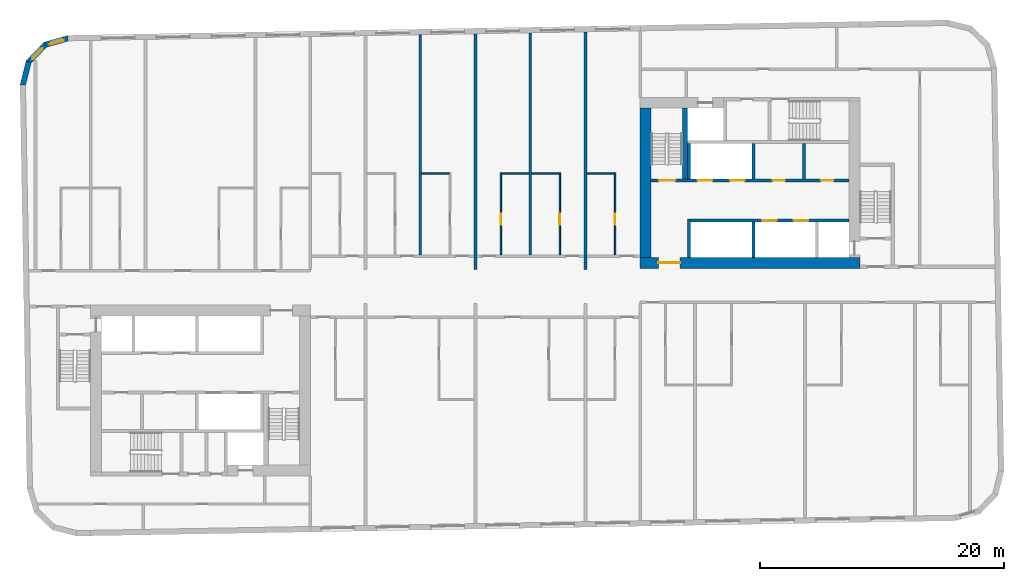
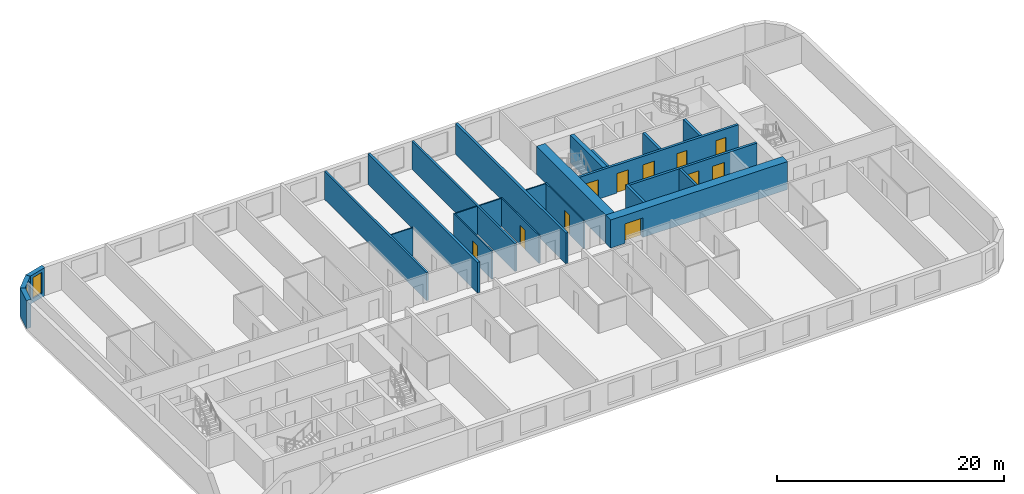
# One storey, part 5 of 11: 24 walls, 11 doors, 2 windows, 13 openings.
"""IFC4 building model written with IfcOpenShell, lengths in metres."""

from ifc_helpers import new_model, si_unit, direction, frame, frame_2d, origin, place, context, subcontext, project, spatial, polyline, rectangle, outline, extrude, material, layer, layer_set, type_object, element, fill, save


model = new_model("IFC4")

# Units and contexts
model_context = context("Model", 3, precision=1e-05, world=origin(), true_north=direction((0.0, 1.0)))
body_context = subcontext(model_context, "Body", "Model", "MODEL_VIEW")
ifc_project = project(units=[si_unit("LENGTHUNIT", "METRE"), si_unit("AREAUNIT", "SQUARE_METRE"), si_unit("VOLUMEUNIT", "CUBIC_METRE"), si_unit("PLANEANGLEUNIT", "RADIAN"), si_unit("MASSUNIT", "GRAM", prefix="KILO")], contexts=[model_context])

# Site, building, storey
site_placement = place(None, origin())
site = spatial("IfcSite", under=ifc_project, at=site_placement, CompositionType="ELEMENT")
building_placement = place(site_placement, origin())
building = spatial("IfcBuilding", under=site, at=building_placement, Name="Kajstack Hotel Tower", CompositionType="ELEMENT")
storey_placement = place(building_placement, frame((0.0, 0.0, 221.0)))
storey = spatial("IfcBuildingStorey", under=building, at=storey_placement, Name="L53", CompositionType="ELEMENT", Elevation=221.0)

# Wall, opening, door
ifc_material_1 = material(Name="Concrete C60/75", Category="concrete")
ifc_layer_1 = layer(ifc_material_1, 0.89990234375)
ifc_layer_set_1 = layer_set([ifc_layer_1], Name="Core wall 900")
wall_type_1 = type_object("IfcWallType", Name="Core wall 900", PredefinedType="SHEAR", material=ifc_layer_set_1)
wall_1_placement = place(storey_placement, frame((13.5, 1.949951171875, 0.0), z_axis=(0.0, 0.0, 1.0), x_axis=(1.0, 0.0, 0.0)))
wall_1 = element("IfcWall", 1, at=wall_1_placement, inside=storey, type_object=wall_type_1, Name="Core wall E RN", PredefinedType="SHEAR", context=body_context, shape_type="SweptSolid", body=[
    extrude(rectangle(XDim=18.0, YDim=0.89990234375, at=frame_2d((9.0, 0.0))), origin(), (0.0, 0.0, 1.0), 3.02001953125),
])
opening_1_placement = place(wall_1_placement, frame((1.47509765625, 0.0, 0.0)))
opening_1 = element("IfcOpeningElement", 2, at=opening_1_placement, cuts=wall_1, Name="Opening 53E07", PredefinedType="OPENING", context=body_context, shape_type="SweptSolid", body=[
    extrude(rectangle(XDim=1.800048828125, YDim=2.10009765625, at=frame_2d((0.89990234375, 1.050048828125))), frame((0.0, 0.4599609375, 0.0), z_axis=(0.0, -1.0, 0.0), x_axis=(1.0, 0.0, 0.0)), (0.0, 0.0, 1.0), 0.919921875),
])
ifc_material_2 = material(Name="Glazed steel frame, fire-rated glass", Category="steel")
door_type_1 = type_object("IfcDoorType", Name="Lobby double door 1800", OperationType="DOUBLE_DOOR_DOUBLE_SWING", PredefinedType="DOOR", material=ifc_material_2)
door_1_placement = place(opening_1_placement, origin())
door_1 = element("IfcDoor", 3, at=door_1_placement, inside=storey, type_object=door_type_1, Name="Door 53E07", OperationType="DOUBLE_DOOR_DOUBLE_SWING", OverallHeight=2.10009765625, OverallWidth=1.800048828125, PredefinedType="DOOR", context=body_context, shape_type="SweptSolid", body=[
    extrude(rectangle(XDim=1.800048828125, YDim=2.10009765625, at=frame_2d((0.89990234375, 1.050048828125))), frame((0.0, 0.02490234375, 0.0), z_axis=(0.0, -1.0, 0.0), x_axis=(1.0, 0.0, 0.0)), (0.0, 0.0, 1.0), 0.050048828125),
])
fill(opening_1, door_1)

# Walls
wall_2_placement = place(storey_placement, frame((13.949951171875, 2.39990234375, 0.0), z_axis=(0.0, 0.0, 1.0), x_axis=(0.0, 1.0, 0.0)))
element("IfcWall", 4, at=wall_2_placement, inside=storey, type_object=wall_type_1, Name="Core wall E RE", PredefinedType="SHEAR", context=body_context, shape_type="SweptSolid", body=[
    extrude(rectangle(XDim=12.2001953125, YDim=0.89990234375, at=frame_2d((6.10009765625, 0.0))), origin(), (0.0, 0.0, 1.0), 3.02001953125),
])
ifc_material_3 = material(Name="Twin-frame gypsum board on steel studs, mineral wool", Category="steel")
ifc_layer_2 = layer(ifc_material_3, 0.199951171875)
ifc_layer_set_2 = layer_set([ifc_layer_2], Name="Demising wall 200")
wall_type_2 = type_object("IfcWallType", Name="Demising wall 200", PredefinedType="PARTITIONING", material=ifc_layer_set_2)
wall_3_placement = place(storey_placement, frame((-4.5, 2.60009765625, 0.0), z_axis=(0.0, 0.0, 1.0), x_axis=(0.0, 1.0, 0.0)))
element("IfcWall", 5, at=wall_3_placement, inside=storey, type_object=wall_type_2, Name="G-wall-L53-017", PredefinedType="PARTITIONING", context=body_context, shape_type="SweptSolid", body=[
    extrude(rectangle(XDim=18.02197265625, YDim=0.199951171875, at=frame_2d((9.010986328125, 0.0))), origin(), (0.0, 0.0, 1.0), 3.02001953125),
])
wall_4_placement = place(storey_placement, frame((4.5, 2.60009765625, 0.0), z_axis=(0.0, 0.0, 1.0), x_axis=(0.0, 1.0, 0.0)))
element("IfcWall", 6, at=wall_4_placement, inside=storey, type_object=wall_type_2, Name="G-wall-L53-022", PredefinedType="PARTITIONING", context=body_context, shape_type="SweptSolid", body=[
    extrude(rectangle(XDim=18.178955078125, YDim=0.199951171875, at=frame_2d((9.08935546875, 0.0))), origin(), (0.0, 0.0, 1.0), 3.02001953125),
])

# Wall, opening, window
ifc_material_4 = material(Name="Terracotta-faced brick masonry", Category="masonry")
ifc_layer_3 = layer(ifc_material_4, 0.449951171875)
ifc_layer_set_3 = layer_set([ifc_layer_3], Name="EW-TERRA")
wall_type_3 = type_object("IfcWallType", Name="EW-TERRA", PredefinedType="SOLIDWALL", material=ifc_layer_set_3)
wall_5_placement = place(storey_placement, frame((-33.290283203125, 20.352294921875, 0.0), z_axis=(0.0, 0.0, 1.0), x_axis=(-0.961247584925, -0.275686562016, 0.0)))
wall_5 = element("IfcWall", 7, at=wall_5_placement, inside=storey, type_object=wall_type_3, Name="E-wall-L53-13-00", PredefinedType="SOLIDWALL", context=body_context, shape_type="SweptSolid", body=[
    extrude(outline(polyline([(0.0, -0.22509765625), (2.070556640625, -0.22509765625), (1.949951171875, 0.224853515625), (0.12060546875, 0.224853515625), (0.0, -0.22509765625)])), origin(), (0.0, 0.0, 1.0), 3.02001953125),
])
opening_2_placement = place(wall_5_placement, frame((0.435302734375, 0.0, 0.449951171875)))
opening_2 = element("IfcOpeningElement", 8, at=opening_2_placement, cuts=wall_5, Name="Opening W3", PredefinedType="OPENING", context=body_context, shape_type="SweptSolid", body=[
    extrude(rectangle(XDim=1.199951171875, YDim=2.25, at=frame_2d((0.60009765625, 1.125))), frame((0.0, 0.23486328125, 0.0), z_axis=(0.0, -1.0, 0.0), x_axis=(1.0, 0.0, 0.0)), (0.0, 0.0, 1.0), 0.469970703125),
])
ifc_material_5 = material(Name="Timber-aluminium window, triple glazed", Category="wood")
window_type = type_object("IfcWindowType", Name="WG3", PartitioningType="SINGLE_PANEL", PredefinedType="WINDOW", material=ifc_material_5)
window_1_placement = place(opening_2_placement, origin())
window_1 = element("IfcWindow", 9, at=window_1_placement, inside=storey, type_object=window_type, Name="Window W3 L53-13", OverallHeight=2.25, OverallWidth=1.199951171875, PartitioningType="SINGLE_PANEL", PredefinedType="WINDOW", context=body_context, shape_type="SweptSolid", body=[
    extrude(rectangle(XDim=1.199951171875, YDim=2.25, at=frame_2d((0.60009765625, 1.125))), frame((0.0, 0.090087890625, 0.0), z_axis=(0.0, -1.0, 0.0), x_axis=(1.0, 0.0, 0.0)), (0.0, 0.0, 1.0), 0.06005859375),
])
fill(opening_2, window_1)

wall_6_placement = place(storey_placement, frame((-35.1806640625, 19.841552734375, 0.0), z_axis=(0.0, 0.0, 1.0), x_axis=(-0.694678672846, -0.719320193998, 0.0)))
wall_6 = element("IfcWall", 10, at=wall_6_placement, inside=storey, type_object=wall_type_3, Name="E-wall-L53-14-00", PredefinedType="SOLIDWALL", context=body_context, shape_type="SweptSolid", body=[
    extrude(outline(polyline([(0.0, -0.22509765625), (2.07080078125, -0.22509765625), (1.9501953125, 0.224853515625), (0.12060546875, 0.224853515625), (0.0, -0.22509765625)])), origin(), (0.0, 0.0, 1.0), 3.02001953125),
])
opening_3_placement = place(wall_6_placement, frame((0.435302734375, 0.0, 0.449951171875)))
opening_3 = element("IfcOpeningElement", 11, at=opening_3_placement, cuts=wall_6, Name="Opening W3", PredefinedType="OPENING", context=body_context, shape_type="SweptSolid", body=[
    extrude(rectangle(XDim=1.199951171875, YDim=2.25, at=frame_2d((0.60009765625, 1.125))), frame((0.0, 0.23486328125, 0.0), z_axis=(0.0, -1.0, 0.0), x_axis=(1.0, 0.0, 0.0)), (0.0, 0.0, 1.0), 0.469970703125),
])
window_2_placement = place(opening_3_placement, origin())
window_2 = element("IfcWindow", 12, at=window_2_placement, inside=storey, type_object=window_type, Name="Window W3 L53-14", OverallHeight=2.25, OverallWidth=1.199951171875, PartitioningType="SINGLE_PANEL", PredefinedType="WINDOW", context=body_context, shape_type="SweptSolid", body=[
    extrude(rectangle(XDim=1.199951171875, YDim=2.25, at=frame_2d((0.60009765625, 1.125))), frame((0.0, 0.090087890625, 0.0), z_axis=(0.0, -1.0, 0.0), x_axis=(1.0, 0.0, 0.0)), (0.0, 0.0, 1.0), 0.06005859375),
])
fill(opening_3, window_2)

# Walls
wall_7_placement = place(storey_placement, frame((-36.562744140625, 18.453857421875, 0.0), z_axis=(0.0, 0.0, 1.0), x_axis=(-0.241869623482, -0.970308757683, 0.0)))
element("IfcWall", 13, at=wall_7_placement, inside=storey, type_object=wall_type_3, Name="E-wall-L53-15-00", PredefinedType="SOLIDWALL", context=body_context, shape_type="SweptSolid", body=[
    extrude(outline(polyline([(-0.000244140625, -0.224853515625), (2.0703125, -0.22509765625), (1.94970703125, 0.224853515625), (0.120361328125, 0.22509765625), (-0.000244140625, -0.224853515625)])), origin(), (0.0, 0.0, 1.0), 3.02001953125),
])
ifc_material_6 = material(Name="Gypsum board and tiled backer on steel studs", Category="steel")
ifc_layer_4 = layer(ifc_material_6, 0.125)
ifc_layer_set_4 = layer_set([ifc_layer_4], Name="En-suite wall 125")
wall_type_4 = type_object("IfcWallType", Name="En-suite wall 125", PredefinedType="PARTITIONING", material=ifc_layer_set_4)
wall_8_placement = place(storey_placement, frame((-4.39990234375, 9.261962890625, 0.0), z_axis=(0.0, 0.0, 1.0), x_axis=(1.0, 0.0, 0.0)))
element("IfcWall", 14, at=wall_8_placement, inside=storey, type_object=wall_type_4, Name="G-wall-L53-021", PredefinedType="PARTITIONING", context=body_context, shape_type="SweptSolid", body=[
    extrude(rectangle(XDim=2.25, YDim=0.125, at=frame_2d((1.125, 0.0))), origin(), (0.0, 0.0, 1.0), 3.02001953125),
])

# Wall, opening, door
wall_9_placement = place(storey_placement, frame((2.0869140625, 2.60009765625, 0.0), z_axis=(0.0, 0.0, 1.0), x_axis=(0.0, 1.0, 0.0)))
wall_9 = element("IfcWall", 15, at=wall_9_placement, inside=storey, type_object=wall_type_4, Name="G-wall-L53-023", PredefinedType="PARTITIONING", context=body_context, shape_type="SweptSolid", body=[
    extrude(rectangle(XDim=6.724853515625, YDim=0.125, at=frame_2d((3.3623046875, 0.0))), origin(), (0.0, 0.0, 1.0), 3.02001953125),
])
opening_4_placement = place(wall_9_placement, frame((2.449951171875, 0.0, 0.0)))
opening_4 = element("IfcOpeningElement", 16, at=opening_4_placement, cuts=wall_9, Name="Opening 53016", PredefinedType="OPENING", context=body_context, shape_type="SweptSolid", body=[
    extrude(rectangle(XDim=0.89990234375, YDim=2.10009765625, at=frame_2d((0.449951171875, 1.050048828125))), frame((0.0, 0.072509765625, 0.0), z_axis=(0.0, -1.0, 0.0), x_axis=(1.0, 0.0, 0.0)), (0.0, 0.0, 1.0), 0.14501953125),
])
ifc_material_7 = material(Name="Painted timber door leaf", Category="wood")
door_type_2 = type_object("IfcDoorType", Name="Room door 900", OperationType="SINGLE_SWING_LEFT", PredefinedType="DOOR", material=ifc_material_7)
door_2_placement = place(opening_4_placement, origin())
door_2 = element("IfcDoor", 17, at=door_2_placement, inside=storey, type_object=door_type_2, Name="G-door-L53-16", OperationType="SINGLE_SWING_RIGHT", OverallHeight=2.10009765625, OverallWidth=0.89990234375, PredefinedType="DOOR", context=body_context, shape_type="SweptSolid", body=[
    extrude(rectangle(XDim=0.89990234375, YDim=2.10009765625, at=frame_2d((0.449951171875, 1.050048828125))), frame((0.0, 0.02490234375, 0.0), z_axis=(0.0, -1.0, 0.0), x_axis=(1.0, 0.0, 0.0)), (0.0, 0.0, 1.0), 0.050048828125),
])
fill(opening_4, door_2)

# Wall
wall_10_placement = place(storey_placement, frame((2.14990234375, 9.261962890625, 0.0), z_axis=(0.0, 0.0, 1.0), x_axis=(1.0, 0.0, 0.0)))
element("IfcWall", 18, at=wall_10_placement, inside=storey, type_object=wall_type_4, Name="G-wall-L53-024", PredefinedType="PARTITIONING", context=body_context, shape_type="SweptSolid", body=[
    extrude(rectangle(XDim=2.25, YDim=0.125, at=frame_2d((1.125, 0.0))), origin(), (0.0, 0.0, 1.0), 3.02001953125),
])

# Wall, opening, door
wall_11_placement = place(storey_placement, frame((6.912109375, 2.60009765625, 0.0), z_axis=(0.0, 0.0, 1.0), x_axis=(0.0, 1.0, 0.0)))
wall_11 = element("IfcWall", 19, at=wall_11_placement, inside=storey, type_object=wall_type_4, Name="G-wall-L53-025", PredefinedType="PARTITIONING", context=body_context, shape_type="SweptSolid", body=[
    extrude(rectangle(XDim=6.724853515625, YDim=0.125, at=frame_2d((3.3623046875, 0.0))), origin(), (0.0, 0.0, 1.0), 3.02001953125),
])
opening_5_placement = place(wall_11_placement, frame((2.449951171875, 0.0, 0.0)))
opening_5 = element("IfcOpeningElement", 20, at=opening_5_placement, cuts=wall_11, Name="Opening 53018", PredefinedType="OPENING", context=body_context, shape_type="SweptSolid", body=[
    extrude(rectangle(XDim=0.89990234375, YDim=2.10009765625, at=frame_2d((0.449951171875, 1.050048828125))), frame((0.0, 0.072509765625, 0.0), z_axis=(0.0, -1.0, 0.0), x_axis=(1.0, 0.0, 0.0)), (0.0, 0.0, 1.0), 0.14501953125),
])
door_3_placement = place(opening_5_placement, origin())
door_3 = element("IfcDoor", 21, at=door_3_placement, inside=storey, type_object=door_type_2, Name="G-door-L53-18", OperationType="SINGLE_SWING_RIGHT", OverallHeight=2.10009765625, OverallWidth=0.89990234375, PredefinedType="DOOR", context=body_context, shape_type="SweptSolid", body=[
    extrude(rectangle(XDim=0.89990234375, YDim=2.10009765625, at=frame_2d((0.449951171875, 1.050048828125))), frame((0.0, 0.02490234375, 0.0), z_axis=(0.0, -1.0, 0.0), x_axis=(1.0, 0.0, 0.0)), (0.0, 0.0, 1.0), 0.050048828125),
])
fill(opening_5, door_3)

# Wall
wall_12_placement = place(storey_placement, frame((4.60009765625, 9.261962890625, 0.0), z_axis=(0.0, 0.0, 1.0), x_axis=(1.0, 0.0, 0.0)))
element("IfcWall", 22, at=wall_12_placement, inside=storey, type_object=wall_type_4, Name="G-wall-L53-026", PredefinedType="PARTITIONING", context=body_context, shape_type="SweptSolid", body=[
    extrude(rectangle(XDim=2.25, YDim=0.125, at=frame_2d((1.125, 0.0))), origin(), (0.0, 0.0, 1.0), 3.02001953125),
])

# Wall, opening, door
wall_13_placement = place(storey_placement, frame((11.43798828125, 2.60009765625, 0.0), z_axis=(0.0, 0.0, 1.0), x_axis=(0.0, 1.0, 0.0)))
wall_13 = element("IfcWall", 23, at=wall_13_placement, inside=storey, type_object=wall_type_4, Name="G-wall-L53-027", PredefinedType="PARTITIONING", context=body_context, shape_type="SweptSolid", body=[
    extrude(rectangle(XDim=6.724853515625, YDim=0.125, at=frame_2d((3.3623046875, 0.0))), origin(), (0.0, 0.0, 1.0), 3.02001953125),
])
opening_6_placement = place(wall_13_placement, frame((2.449951171875, 0.0, 0.0)))
opening_6 = element("IfcOpeningElement", 24, at=opening_6_placement, cuts=wall_13, Name="Opening 53020", PredefinedType="OPENING", context=body_context, shape_type="SweptSolid", body=[
    extrude(rectangle(XDim=0.89990234375, YDim=2.10009765625, at=frame_2d((0.449951171875, 1.050048828125))), frame((0.0, 0.072509765625, 0.0), z_axis=(0.0, -1.0, 0.0), x_axis=(1.0, 0.0, 0.0)), (0.0, 0.0, 1.0), 0.14501953125),
])
door_4_placement = place(opening_6_placement, origin())
door_4 = element("IfcDoor", 25, at=door_4_placement, inside=storey, type_object=door_type_2, Name="G-door-L53-20", OperationType="SINGLE_SWING_LEFT", OverallHeight=2.10009765625, OverallWidth=0.89990234375, PredefinedType="DOOR", context=body_context, shape_type="SweptSolid", body=[
    extrude(rectangle(XDim=0.89990234375, YDim=2.10009765625, at=frame_2d((0.449951171875, 1.050048828125))), frame((0.0, 0.02490234375, 0.0), z_axis=(0.0, -1.0, 0.0), x_axis=(1.0, 0.0, 0.0)), (0.0, 0.0, 1.0), 0.050048828125),
])
fill(opening_6, door_4)

# Walls
wall_14_placement = place(storey_placement, frame((9.125, 9.261962890625, 0.0), z_axis=(0.0, 0.0, 1.0), x_axis=(1.0, 0.0, 0.0)))
element("IfcWall", 26, at=wall_14_placement, inside=storey, type_object=wall_type_4, Name="G-wall-L53-028", PredefinedType="PARTITIONING", context=body_context, shape_type="SweptSolid", body=[
    extrude(rectangle(XDim=2.25, YDim=0.125, at=frame_2d((1.125, 0.0))), origin(), (0.0, 0.0, 1.0), 3.02001953125),
])
ifc_material_8 = material(Name="Concrete C50/60", Category="concrete")
ifc_layer_5 = layer(ifc_material_8, 0.300048828125)
ifc_layer_set_5 = layer_set([ifc_layer_5], Name="Hoistway divider wall 300")
wall_type_5 = type_object("IfcWallType", Name="Hoistway divider wall 300", PredefinedType="SHEAR", material=ifc_layer_set_5)
wall_15_placement = place(storey_placement, frame((22.77490234375, 2.39990234375, 0.0), z_axis=(0.0, 0.0, 1.0), x_axis=(0.0, 1.0, 0.0)))
element("IfcWall", 27, at=wall_15_placement, inside=storey, type_object=wall_type_5, Name="Core wall E AP2", PredefinedType="SHEAR", context=body_context, shape_type="SweptSolid", body=[
    extrude(rectangle(XDim=2.900146484375, YDim=0.25, at=frame_2d((1.4501953125, 0.0))), origin(), (0.0, 0.0, 1.0), 3.02001953125),
])
wall_16_placement = place(storey_placement, frame((22.77490234375, 8.800048828125, 0.0), z_axis=(0.0, 0.0, 1.0), x_axis=(0.0, 1.0, 0.0)))
element("IfcWall", 28, at=wall_16_placement, inside=storey, type_object=wall_type_5, Name="Core wall E BP2", PredefinedType="SHEAR", context=body_context, shape_type="SweptSolid", body=[
    extrude(rectangle(XDim=2.89990234375, YDim=0.25, at=frame_2d((1.449951171875, 0.0))), origin(), (0.0, 0.0, 1.0), 3.02001953125),
])
ifc_material_9 = material(Name="Concrete C45/55", Category="concrete")
ifc_layer_6 = layer(ifc_material_9, 0.25)
ifc_layer_set_6 = layer_set([ifc_layer_6], Name="RC cross wall 250 C45/55")
wall_type_6 = type_object("IfcWallType", Name="RC cross wall 250 C45/55", PredefinedType="SHEAR", material=ifc_layer_set_6)
wall_17_placement = place(storey_placement, frame((0.0, 1.39990234375, 0.0), z_axis=(0.0, 0.0, 1.0), x_axis=(0.0, 1.0, 0.0)))
element("IfcWall", 29, at=wall_17_placement, inside=storey, type_object=wall_type_6, Name="S-wall-L53-07", PredefinedType="SHEAR", context=body_context, shape_type="SweptSolid", body=[
    extrude(rectangle(XDim=19.28857421875, YDim=0.25, at=frame_2d((9.644287109375, 0.0))), origin(), (0.0, 0.0, 1.0), 3.300048828125),
])
wall_18_placement = place(storey_placement, frame((9.0, 1.39990234375, 0.0), z_axis=(0.0, 0.0, 1.0), x_axis=(0.0, 1.0, 0.0)))
element("IfcWall", 30, at=wall_18_placement, inside=storey, type_object=wall_type_6, Name="S-wall-L53-09", PredefinedType="SHEAR", context=body_context, shape_type="SweptSolid", body=[
    extrude(rectangle(XDim=19.44580078125, YDim=0.25, at=frame_2d((9.722900390625, 0.0))), origin(), (0.0, 0.0, 1.0), 3.300048828125),
])
ifc_material_10 = material(Name="Concrete block masonry", Category="masonry")
ifc_layer_7 = layer(ifc_material_10, 0.25)
ifc_layer_set_7 = layer_set([ifc_layer_7], Name="Riser partition 250")
wall_type_7 = type_object("IfcWallType", Name="Riser partition 250", PredefinedType="PARTITIONING", material=ifc_layer_set_7)
wall_19_placement = place(storey_placement, frame((26.89990234375, 8.800048828125, 0.0), z_axis=(0.0, 0.0, 1.0), x_axis=(0.0, 1.0, 0.0)))
element("IfcWall", 31, at=wall_19_placement, inside=storey, type_object=wall_type_7, Name="Partition E BF0", PredefinedType="PARTITIONING", context=body_context, shape_type="SweptSolid", body=[
    extrude(rectangle(XDim=2.89990234375, YDim=0.25, at=frame_2d((1.449951171875, 0.0))), origin(), (0.0, 0.0, 1.0), 3.02001953125),
])

# Wall, openings, doors
ifc_layer_8 = layer(ifc_material_8, 0.25)
ifc_layer_set_8 = layer_set([ifc_layer_8], Name="Shaft wall 250")
wall_type_8 = type_object("IfcWallType", Name="Shaft wall 250", PredefinedType="SHEAR", material=ifc_layer_set_8)
wall_20_placement = place(storey_placement, frame((17.60009765625, 5.425048828125, 0.0), z_axis=(0.0, 0.0, 1.0), x_axis=(1.0, 0.0, 0.0)))
wall_20 = element("IfcWall", 32, at=wall_20_placement, inside=storey, type_object=wall_type_8, Name="Core wall E FA", PredefinedType="SHEAR", context=body_context, shape_type="SweptSolid", body=[
    extrude(rectangle(XDim=13.0, YDim=0.25, at=frame_2d((6.5, 0.0))), origin(), (0.0, 0.0, 1.0), 3.02001953125),
])
opening_7_placement = place(wall_20_placement, frame((8.47509765625, 0.0, 0.0)))
opening_7 = element("IfcOpeningElement", 33, at=opening_7_placement, cuts=wall_20, Name="Opening LD-MR7", PredefinedType="OPENING", context=body_context, shape_type="SweptSolid", body=[
    extrude(rectangle(XDim=1.199951171875, YDim=2.10009765625, at=frame_2d((0.60009765625, 1.050048828125))), frame((0.0, 0.135009765625, 0.0), z_axis=(0.0, -1.0, 0.0), x_axis=(1.0, 0.0, 0.0)), (0.0, 0.0, 1.0), 0.27001953125),
])
opening_8_placement = place(wall_20_placement, frame((5.875, 0.0, 0.0)))
opening_8 = element("IfcOpeningElement", 34, at=opening_8_placement, cuts=wall_20, Name="Opening LD-MR8", PredefinedType="OPENING", context=body_context, shape_type="SweptSolid", body=[
    extrude(rectangle(XDim=1.199951171875, YDim=2.10009765625, at=frame_2d((0.60009765625, 1.050048828125))), frame((0.0, 0.135009765625, 0.0), z_axis=(0.0, -1.0, 0.0), x_axis=(1.0, 0.0, 0.0)), (0.0, 0.0, 1.0), 0.27001953125),
])
ifc_material_11 = material(Name="Stainless steel", Category="steel")
door_type_3 = type_object("IfcDoorType", Name="Lift landing door 1200", OperationType="SLIDING_TO_LEFT", PredefinedType="DOOR", material=ifc_material_11)
door_5_placement = place(opening_7_placement, origin())
door_5 = element("IfcDoor", 35, at=door_5_placement, inside=storey, type_object=door_type_3, Name="Landing door MR7", OperationType="SLIDING_TO_LEFT", OverallHeight=2.10009765625, OverallWidth=1.199951171875, PredefinedType="DOOR", context=body_context, shape_type="SweptSolid", body=[
    extrude(rectangle(XDim=1.199951171875, YDim=2.10009765625, at=frame_2d((0.60009765625, 1.050048828125))), frame((0.0, 0.02490234375, 0.0), z_axis=(0.0, -1.0, 0.0), x_axis=(1.0, 0.0, 0.0)), (0.0, 0.0, 1.0), 0.050048828125),
])
fill(opening_7, door_5)
door_6_placement = place(opening_8_placement, origin())
door_6 = element("IfcDoor", 36, at=door_6_placement, inside=storey, type_object=door_type_3, Name="Landing door MR8", OperationType="SLIDING_TO_RIGHT", OverallHeight=2.10009765625, OverallWidth=1.199951171875, PredefinedType="DOOR", context=body_context, shape_type="SweptSolid", body=[
    extrude(rectangle(XDim=1.199951171875, YDim=2.10009765625, at=frame_2d((0.60009765625, 1.050048828125))), frame((0.0, 0.02490234375, 0.0), z_axis=(0.0, -1.0, 0.0), x_axis=(1.0, 0.0, 0.0)), (0.0, 0.0, 1.0), 0.050048828125),
])
fill(opening_8, door_6)

# Wall
wall_21_placement = place(storey_placement, frame((17.47509765625, 2.39990234375, 0.0), z_axis=(0.0, 0.0, 1.0), x_axis=(0.0, 1.0, 0.0)))
element("IfcWall", 37, at=wall_21_placement, inside=storey, type_object=wall_type_8, Name="Core wall E AE", PredefinedType="SHEAR", context=body_context, shape_type="SweptSolid", body=[
    extrude(rectangle(XDim=3.150146484375, YDim=0.25, at=frame_2d((1.5751953125, 0.0))), origin(), (0.0, 0.0, 1.0), 3.02001953125),
])

# Wall, openings, doors
wall_22_placement = place(storey_placement, frame((14.39990234375, 8.675048828125, 0.0), z_axis=(0.0, 0.0, 1.0), x_axis=(1.0, 0.0, 0.0)))
wall_22 = element("IfcWall", 38, at=wall_22_placement, inside=storey, type_object=wall_type_8, Name="Core wall E FB", PredefinedType="SHEAR", context=body_context, shape_type="SweptSolid", body=[
    extrude(rectangle(XDim=16.2001953125, YDim=0.25, at=frame_2d((8.10009765625, 0.0))), origin(), (0.0, 0.0, 1.0), 3.02001953125),
])
opening_9_placement = place(wall_22_placement, frame((6.449951171875, 0.0, 0.0)))
opening_9 = element("IfcOpeningElement", 39, at=opening_9_placement, cuts=wall_22, Name="Opening LD-MR5", PredefinedType="OPENING", context=body_context, shape_type="SweptSolid", body=[
    extrude(rectangle(XDim=1.199951171875, YDim=2.10009765625, at=frame_2d((0.60009765625, 1.050048828125))), frame((0.0, 0.135009765625, 0.0), z_axis=(0.0, -1.0, 0.0), x_axis=(1.0, 0.0, 0.0)), (0.0, 0.0, 1.0), 0.27001953125),
])
opening_10_placement = place(wall_22_placement, frame((3.800048828125, 0.0, 0.0)))
opening_10 = element("IfcOpeningElement", 40, at=opening_10_placement, cuts=wall_22, Name="Opening LD-MR6", PredefinedType="OPENING", context=body_context, shape_type="SweptSolid", body=[
    extrude(rectangle(XDim=1.199951171875, YDim=2.10009765625, at=frame_2d((0.60009765625, 1.050048828125))), frame((0.0, 0.135009765625, 0.0), z_axis=(0.0, -1.0, 0.0), x_axis=(1.0, 0.0, 0.0)), (0.0, 0.0, 1.0), 0.27001953125),
])
opening_11_placement = place(wall_22_placement, frame((0.64990234375, 0.0, 0.0)))
opening_11 = element("IfcOpeningElement", 41, at=opening_11_placement, cuts=wall_22, Name="Opening 53E11", PredefinedType="OPENING", context=body_context, shape_type="SweptSolid", body=[
    extrude(rectangle(XDim=1.300048828125, YDim=2.10009765625, at=frame_2d((0.64990234375, 1.050048828125))), frame((0.0, 0.135009765625, 0.0), z_axis=(0.0, -1.0, 0.0), x_axis=(1.0, 0.0, 0.0)), (0.0, 0.0, 1.0), 0.27001953125),
])
opening_12_placement = place(wall_22_placement, frame((13.91259765625, 0.0, 0.0)))
opening_12 = element("IfcOpeningElement", 42, at=opening_12_placement, cuts=wall_22, Name="Opening 53E14", PredefinedType="OPENING", context=body_context, shape_type="SweptSolid", body=[
    extrude(rectangle(XDim=1.0, YDim=2.10009765625, at=frame_2d((0.5, 1.050048828125))), frame((0.0, 0.135009765625, 0.0), z_axis=(0.0, -1.0, 0.0), x_axis=(1.0, 0.0, 0.0)), (0.0, 0.0, 1.0), 0.27001953125),
])
opening_13_placement = place(wall_22_placement, frame((9.9375, 0.0, 0.0)))
opening_13 = element("IfcOpeningElement", 43, at=opening_13_placement, cuts=wall_22, Name="Opening 53E15", PredefinedType="OPENING", context=body_context, shape_type="SweptSolid", body=[
    extrude(rectangle(XDim=1.0, YDim=2.10009765625, at=frame_2d((0.5, 1.050048828125))), frame((0.0, 0.135009765625, 0.0), z_axis=(0.0, -1.0, 0.0), x_axis=(1.0, 0.0, 0.0)), (0.0, 0.0, 1.0), 0.27001953125),
])
door_7_placement = place(opening_9_placement, origin())
door_7 = element("IfcDoor", 44, at=door_7_placement, inside=storey, type_object=door_type_3, Name="Landing door MR5", OperationType="SLIDING_TO_LEFT", OverallHeight=2.10009765625, OverallWidth=1.199951171875, PredefinedType="DOOR", context=body_context, shape_type="SweptSolid", body=[
    extrude(rectangle(XDim=1.199951171875, YDim=2.10009765625, at=frame_2d((0.60009765625, 1.050048828125))), frame((0.0, 0.02490234375, 0.0), z_axis=(0.0, -1.0, 0.0), x_axis=(1.0, 0.0, 0.0)), (0.0, 0.0, 1.0), 0.050048828125),
])
fill(opening_9, door_7)
door_8_placement = place(opening_10_placement, origin())
door_8 = element("IfcDoor", 45, at=door_8_placement, inside=storey, type_object=door_type_3, Name="Landing door MR6", OperationType="SLIDING_TO_RIGHT", OverallHeight=2.10009765625, OverallWidth=1.199951171875, PredefinedType="DOOR", context=body_context, shape_type="SweptSolid", body=[
    extrude(rectangle(XDim=1.199951171875, YDim=2.10009765625, at=frame_2d((0.60009765625, 1.050048828125))), frame((0.0, 0.02490234375, 0.0), z_axis=(0.0, -1.0, 0.0), x_axis=(1.0, 0.0, 0.0)), (0.0, 0.0, 1.0), 0.050048828125),
])
fill(opening_10, door_8)
ifc_material_12 = material(Name="Timber leaf, fire-rated", Category="wood")
door_type_4 = type_object("IfcDoorType", Name="Service room door 1000", OperationType="SINGLE_SWING_LEFT", PredefinedType="DOOR", material=ifc_material_12)
door_9_placement = place(opening_12_placement, origin())
door_9 = element("IfcDoor", 46, at=door_9_placement, inside=storey, type_object=door_type_4, Name="Door 53E14", OperationType="SINGLE_SWING_LEFT", OverallHeight=2.10009765625, OverallWidth=1.0, PredefinedType="DOOR", context=body_context, shape_type="SweptSolid", body=[
    extrude(rectangle(XDim=1.0, YDim=2.10009765625, at=frame_2d((0.5, 1.050048828125))), frame((0.0, 0.02490234375, 0.0), z_axis=(0.0, -1.0, 0.0), x_axis=(1.0, 0.0, 0.0)), (0.0, 0.0, 1.0), 0.050048828125),
])
fill(opening_12, door_9)
door_10_placement = place(opening_13_placement, origin())
door_10 = element("IfcDoor", 47, at=door_10_placement, inside=storey, type_object=door_type_4, Name="Door 53E15", OperationType="SINGLE_SWING_LEFT", OverallHeight=2.10009765625, OverallWidth=1.0, PredefinedType="DOOR", context=body_context, shape_type="SweptSolid", body=[
    extrude(rectangle(XDim=1.0, YDim=2.10009765625, at=frame_2d((0.5, 1.050048828125))), frame((0.0, 0.02490234375, 0.0), z_axis=(0.0, -1.0, 0.0), x_axis=(1.0, 0.0, 0.0)), (0.0, 0.0, 1.0), 0.050048828125),
])
fill(opening_13, door_10)
ifc_material_13 = material(Name="Steel leaf, fire-rated", Category="steel")
door_type_5 = type_object("IfcDoorType", Name="Stair door 1300", OperationType="SINGLE_SWING_LEFT", PredefinedType="DOOR", material=ifc_material_13)
door_11_placement = place(opening_11_placement, origin())
door_11 = element("IfcDoor", 48, at=door_11_placement, inside=storey, type_object=door_type_5, Name="Door 53E11", OperationType="SINGLE_SWING_LEFT", OverallHeight=2.10009765625, OverallWidth=1.300048828125, PredefinedType="DOOR", context=body_context, shape_type="SweptSolid", body=[
    extrude(rectangle(XDim=1.300048828125, YDim=2.10009765625, at=frame_2d((0.64990234375, 1.050048828125))), frame((0.0, 0.02490234375, 0.0), z_axis=(0.0, -1.0, 0.0), x_axis=(1.0, 0.0, 0.0)), (0.0, 0.0, 1.0), 0.050048828125),
])
fill(opening_11, door_11)

# Walls
wall_23_placement = place(storey_placement, frame((17.47509765625, 8.800048828125, 0.0), z_axis=(0.0, 0.0, 1.0), x_axis=(0.0, 1.0, 0.0)))
element("IfcWall", 49, at=wall_23_placement, inside=storey, type_object=wall_type_8, Name="Core wall E BE", PredefinedType="SHEAR", context=body_context, shape_type="SweptSolid", body=[
    extrude(rectangle(XDim=2.89990234375, YDim=0.25, at=frame_2d((1.449951171875, 0.0))), origin(), (0.0, 0.0, 1.0), 3.02001953125),
])
ifc_layer_9 = layer(ifc_material_8, 0.39990234375)
ifc_layer_set_9 = layer_set([ifc_layer_9], Name="Stair wall 400")
wall_type_9 = type_object("IfcWallType", Name="Stair wall 400", PredefinedType="SHEAR", material=ifc_layer_set_9)
wall_24_placement = place(storey_placement, frame((17.14990234375, 8.800048828125, 0.0), z_axis=(0.0, 0.0, 1.0), x_axis=(0.0, 1.0, 0.0)))
element("IfcWall", 50, at=wall_24_placement, inside=storey, type_object=wall_type_9, Name="Core wall E WW2", PredefinedType="SHEAR", context=body_context, shape_type="SweptSolid", body=[
    extrude(rectangle(XDim=5.800048828125, YDim=0.39990234375, at=frame_2d((2.89990234375, 0.0))), origin(), (0.0, 0.0, 1.0), 3.02001953125),
])

save(model, "model.ifc")
